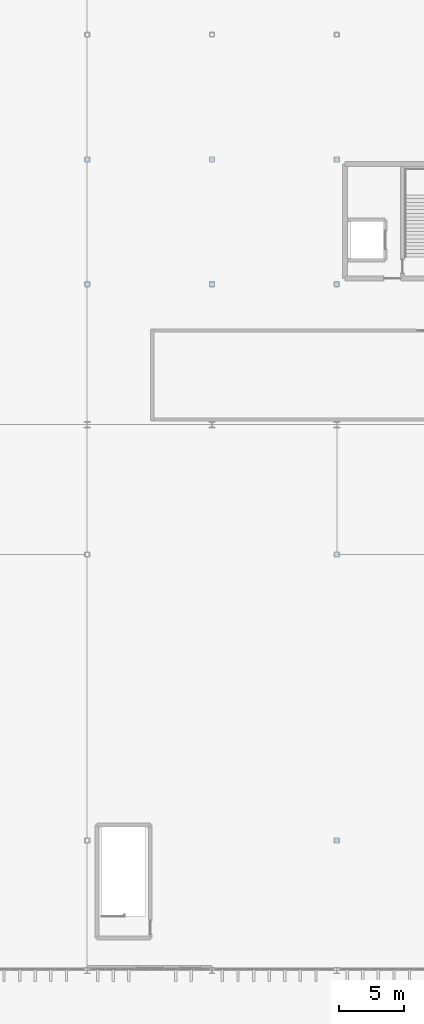
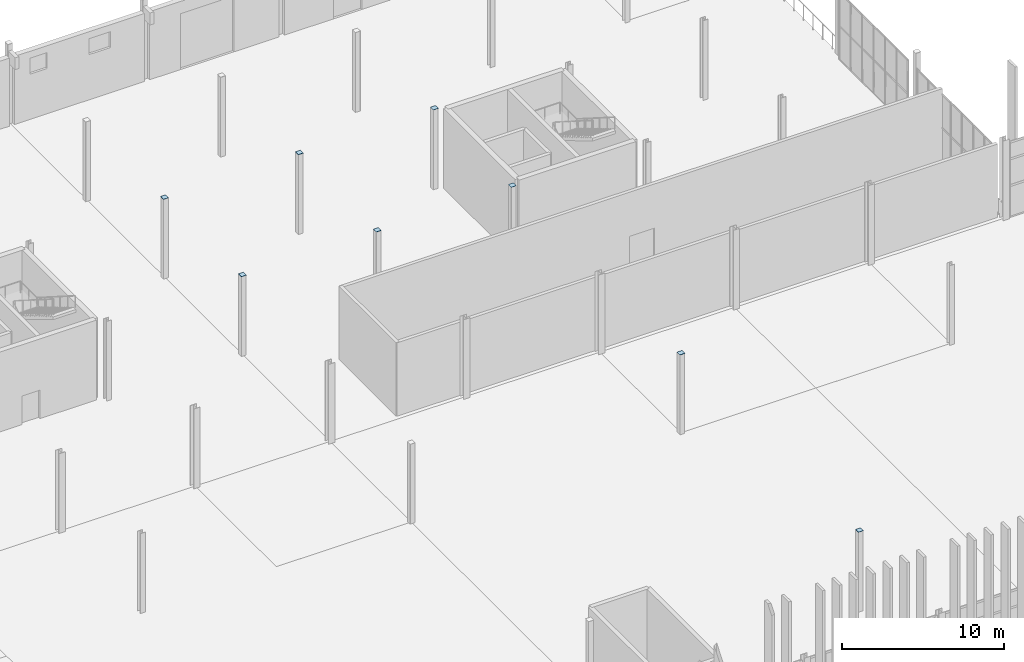
# One storey, part 96 of 139: 8 plates.
"""IFC4 building model written with IfcOpenShell, lengths in metres."""

from ifc_helpers import new_model, si_unit, direction, frame, origin, origin_2d, place, context, subcontext, project, spatial, rectangle, extrude, material, layer, layer_set, type_object, element, save


model = new_model("IFC4")

# Units and contexts
model_context = context("Model", 3, precision=1e-05, world=origin(), true_north=direction((0.0, 1.0)))
body_context = subcontext(model_context, "Body", "Model", "MODEL_VIEW")
ifc_project = project(units=[si_unit("LENGTHUNIT", "METRE"), si_unit("AREAUNIT", "SQUARE_METRE"), si_unit("VOLUMEUNIT", "CUBIC_METRE"), si_unit("PLANEANGLEUNIT", "RADIAN"), si_unit("MASSUNIT", "GRAM", prefix="KILO")], contexts=[model_context])

# Site, building, storey
site_placement = place(None, origin())
site = spatial("IfcSite", under=ifc_project, at=site_placement, CompositionType="ELEMENT")
building_placement = place(site_placement, origin())
building = spatial("IfcBuilding", under=site, at=building_placement, Name="Yeouljin Market Hall", CompositionType="ELEMENT")
storey_placement = place(building_placement, origin())
storey = spatial("IfcBuildingStorey", under=building, at=storey_placement, Name="L00", CompositionType="ELEMENT", Elevation=0.0)

# Plates
ifc_material = material(Name="Steel SM355", Category="steel")
ifc_layer = layer(ifc_material, 0.01611328125)
ifc_layer_set = layer_set([ifc_layer], Name="Steel SM355")
plate_type = type_object("IfcPlateType", Name="CapPlate_360x360x16", PredefinedType="SHEET", material=ifc_layer_set)
for number, where, z_axis, x_axis, name in (
    (1, (83.39990234375, 88.800048828125, 6.0), (0.0, 0.0, 1.0), (1.0, 0.0, 0.0), "Hollow column top cap plate G-10-09 (L00)"),
    (2, (83.39990234375, 98.39990234375, 6.0), (0.0, 0.0, 1.0), (1.0, 0.0, 0.0), "Hollow column top cap plate G-10-10 (L00)"),
    (3, (93.0, 88.800048828125, 6.0), (0.0, 0.0, 1.0), (1.0, 0.0, 0.0), "Hollow column top cap plate G-11-09 (L00)"),
    (4, (93.0, 98.39990234375, 6.0), (0.0, 0.0, 1.0), (1.0, 0.0, 0.0), "Hollow column top cap plate G-11-10 (L00)"),
    (5, (102.60009765625, 46.0, 6.0), (0.0, 0.0, 1.0), (1.0, 0.0, 0.0), "Hollow column top cap plate G-12-05 (L00)"),
    (6, (102.60009765625, 68.0, 6.0), (0.0, 0.0, 1.0), (1.0, 0.0, 0.0), "Hollow column top cap plate G-12-07 (L00)"),
    (7, (102.60009765625, 88.800048828125, 6.0), (0.0, 0.0, 1.0), (1.0, 0.0, 0.0), "Hollow column top cap plate G-12-09 (L00)"),
    (8, (102.60009765625, 98.39990234375, 6.0), (0.0, 0.0, 1.0), (1.0, 0.0, 0.0), "Hollow column top cap plate G-12-10 (L00)"),
):
    element("IfcPlate", number, at=place(storey_placement, frame(where, z_axis=z_axis, x_axis=x_axis)), inside=storey, type_object=plate_type, Name=name, PredefinedType="SHEET", context=body_context, shape_type="SweptSolid", body=[
        extrude(rectangle(XDim=0.360107421875, YDim=0.360107421875, at=origin_2d()), origin(), (0.0, 0.0, 1.0), 0.01611328125),
    ])

save(model, "model.ifc")
